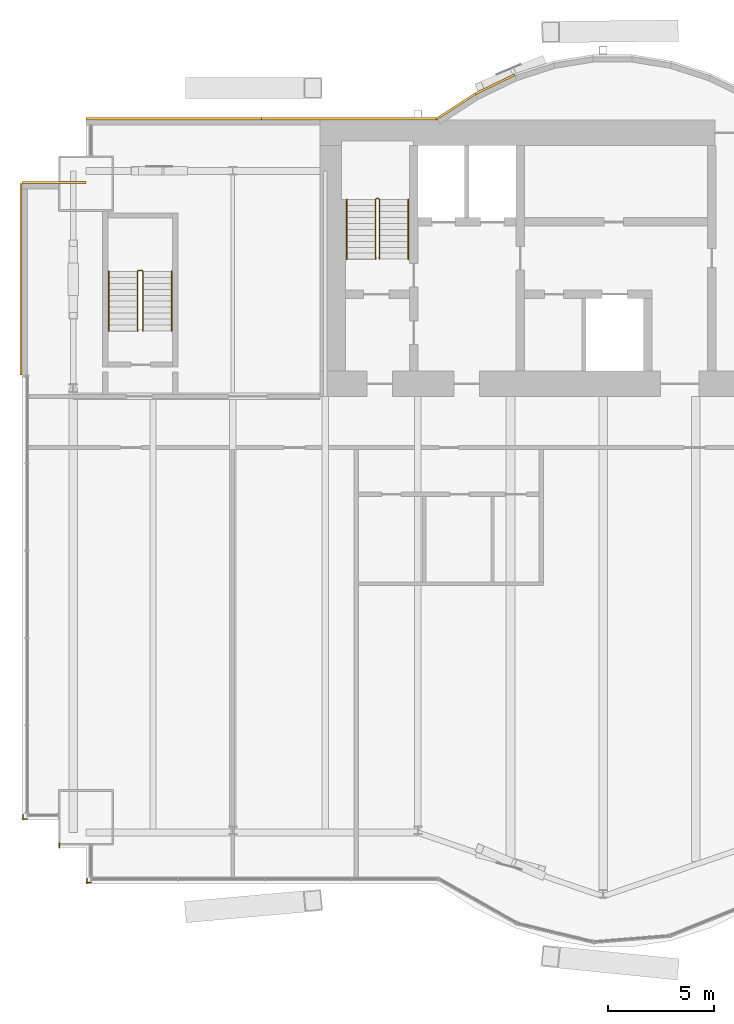
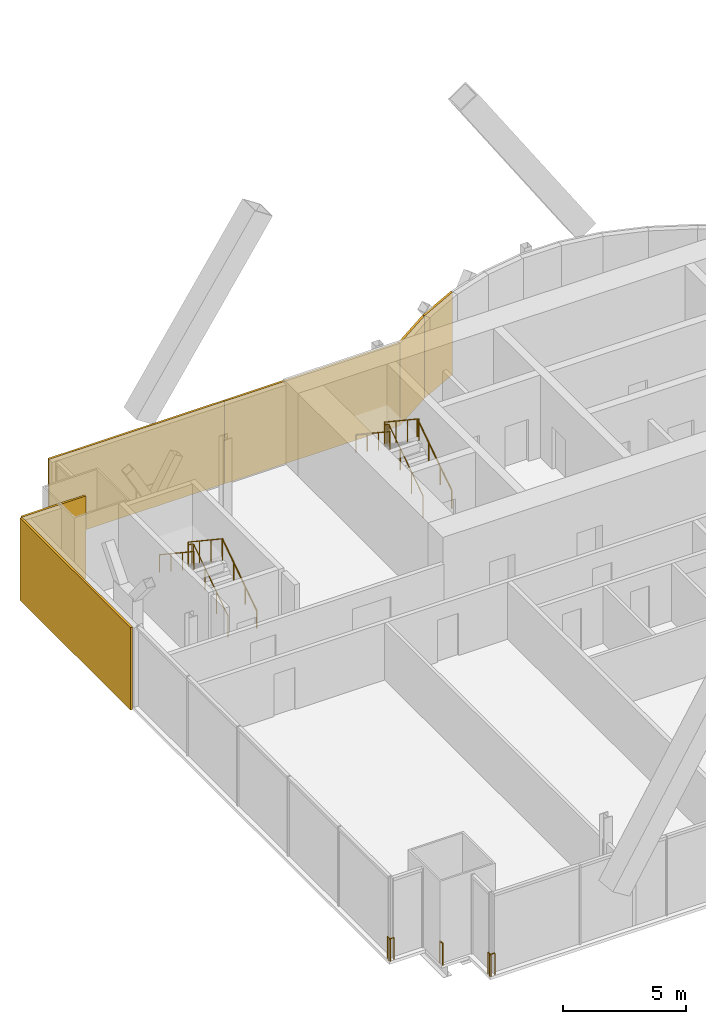
# One storey, part 20 of 22: 9 railings, 6 coverings.
"""IFC4 building model written with IfcOpenShell, lengths in metres."""

from ifc_helpers import new_model, si_unit, direction, frame, origin, origin_2d, place, context, subcontext, project, spatial, rectangle, circle, extrude, material, layer, layer_set, type_object, element, save


model = new_model("IFC4")

# Units and contexts
model_context = context("Model", 3, precision=1e-05, world=origin(), true_north=direction((0.0, 1.0)))
body_context = subcontext(model_context, "Body", "Model", "MODEL_VIEW")
ifc_project = project(units=[si_unit("LENGTHUNIT", "METRE"), si_unit("AREAUNIT", "SQUARE_METRE"), si_unit("VOLUMEUNIT", "CUBIC_METRE"), si_unit("PLANEANGLEUNIT", "RADIAN"), si_unit("MASSUNIT", "GRAM", prefix="KILO")], contexts=[model_context])

# Site, building, storey
site_placement = place(None, origin())
site = spatial("IfcSite", under=ifc_project, at=site_placement, CompositionType="ELEMENT")
building_placement = place(site_placement, origin())
building = spatial("IfcBuilding", under=site, at=building_placement, Name="Bicima Exchange Tower", CompositionType="ELEMENT")
storey_placement = place(building_placement, frame((0.0, 0.0, 144.5)))
storey = spatial("IfcBuildingStorey", under=building, at=storey_placement, Name="L31", CompositionType="ELEMENT", Elevation=144.5)

# Coverings
ifc_material_1 = material(Name="Bronze metal cladding")
ifc_layer_1 = layer(ifc_material_1, 0.004)
ifc_material_2 = material(Name="Ventilated cavity")
ifc_layer_2 = layer(ifc_material_2, 0.06)
ifc_material_3 = material(Name="Galvanised steel rail and mineral wool", Category="steel")
ifc_layer_3 = layer(ifc_material_3, 0.036)
ifc_layer_set = layer_set([ifc_layer_1, ifc_layer_2, ifc_layer_3], Name="Ventilated cavity")
covering_type = type_object("IfcCoveringType", Name="Bronze metal cladding panel 100", PredefinedType="CLADDING", material=ifc_layer_set)
covering_1_placement = place(storey_placement, frame((-13.771728515625, 1.674560546875, -0.150146484375), z_axis=(0.0, 0.0, 1.0), x_axis=(-0.899818346812, -0.436264762204, 0.0)))
element("IfcCovering", 1, at=covering_1_placement, inside=storey, type_object=covering_type, Name="Bronze cladding L31 18.1", PredefinedType="CLADDING", context=body_context, shape_type="SweptSolid", body=[
    extrude(rectangle(XDim=2.03759765625, YDim=0.10009765625, at=origin_2d()), origin(), (0.0, 0.0, 1.0), 4.10009765625),
])
covering_2_placement = place(storey_placement, frame((-15.610595703125, 0.634521484375, -0.150146484375), z_axis=(0.0, 0.0, 1.0), x_axis=(-0.839790466384, -0.542910648791, 0.0)))
element("IfcCovering", 2, at=covering_2_placement, inside=storey, type_object=covering_type, Name="Bronze cladding L31 19.1", PredefinedType="CLADDING", context=body_context, shape_type="SweptSolid", body=[
    extrude(rectangle(XDim=2.18310546875, YDim=0.10009765625, at=origin_2d()), origin(), (0.0, 0.0, 1.0), 4.10009765625),
])
for number, where, z_axis, x_axis, name in (
    (3, (-20.625, 0.050048828125, -0.150146484375), (0.0, 0.0, 1.0), (-1.0, 0.0, 0.0), "Bronze cladding L31 20.1"),
    (4, (-28.875, 0.050048828125, -0.150146484375), (0.0, 0.0, 1.0), (-1.0, 0.0, 0.0), "Bronze cladding L31 20.2"),
):
    element("IfcCovering", number, at=place(storey_placement, frame(where, z_axis=z_axis, x_axis=x_axis)), inside=storey, type_object=covering_type, Name=name, PredefinedType="CLADDING", context=body_context, shape_type="SweptSolid", body=[
        extrude(rectangle(XDim=8.25, YDim=0.10009765625, at=origin_2d()), origin(), (0.0, 0.0, 1.0), 4.10009765625),
    ])
covering_3_placement = place(storey_placement, frame((-34.5, -2.949951171875, -0.150146484375), z_axis=(0.0, 0.0, 1.0), x_axis=(-1.0, 0.0, 0.0)))
element("IfcCovering", 5, at=covering_3_placement, inside=storey, type_object=covering_type, Name="Bronze cladding L31 22.1", PredefinedType="CLADDING", context=body_context, shape_type="SweptSolid", body=[
    extrude(rectangle(XDim=3.0, YDim=0.10009765625, at=origin_2d()), origin(), (0.0, 0.0, 1.0), 4.10009765625),
])
covering_4_placement = place(storey_placement, frame((-36.050048828125, -7.5, -0.150146484375), z_axis=(0.0, 0.0, 1.0), x_axis=(0.0, -1.0, 0.0)))
element("IfcCovering", 6, at=covering_4_placement, inside=storey, type_object=covering_type, Name="Bronze cladding L31 23.1", PredefinedType="CLADDING", context=body_context, shape_type="SweptSolid", body=[
    extrude(rectangle(XDim=9.0, YDim=0.10009765625, at=origin_2d()), origin(), (0.0, 0.0, 1.0), 4.10009765625),
])

# Railings
ifc_material_4 = material(Name="Stainless steel and bonded safety glass", Category="steel")
railing_type_1 = type_object("IfcRailingType", Name="Edge guard 1100", PredefinedType="GUARDRAIL", material=ifc_material_4)
railing_1_placement = place(storey_placement, frame((-35.757080078125, -32.85009765625, 0.0)))
element("IfcRailing", 7, at=railing_1_placement, inside=storey, type_object=railing_type_1, Name="Edge guard L31 149", PredefinedType="GUARDRAIL", context=body_context, shape_type="SweptSolid", body=[
    extrude(circle(Radius=0.02392578125, at=origin_2d()), frame((0.0, 0.0, 1.076171875), z_axis=(-1.0, 0.0, 0.0), x_axis=(0.0, -1.0, 0.0)), (0.0, 0.0, 1.0), 0.242919921875),
    extrude(circle(Radius=0.02392578125, at=origin_2d()), frame((-0.242919921875, 0.0, 1.076171875), z_axis=(0.708833529934, -0.705375805398, 0.0), x_axis=(0.705375805398, 0.708833529934, 0.0)), (0.0, 0.0, 1.0), 0.070556640625),
    extrude(circle(Radius=0.02392578125, at=origin_2d()), frame((-0.19287109375, -0.0498046875, 1.076171875), z_axis=(0.0, 1.0, 0.0), x_axis=(-1.0, 0.0, 0.0)), (0.0, 0.0, 1.0), 0.2490234375),
    extrude(circle(Radius=0.02099609375, at=origin_2d()), origin(), (0.0, 0.0, 1.0), 1.052001953125),
    extrude(circle(Radius=0.02099609375, at=origin_2d()), frame((-0.242919921875, 0.0, 0.0)), (0.0, 0.0, 1.0), 1.052001953125),
    extrude(circle(Radius=0.02099609375, at=origin_2d()), frame((-0.19287109375, -0.0498046875, 0.0)), (0.0, 0.0, 1.0), 1.052001953125),
    extrude(circle(Radius=0.02099609375, at=origin_2d()), frame((-0.19287109375, 0.19921875, 0.0)), (0.0, 0.0, 1.0), 1.052001953125),
])
railing_2_placement = place(storey_placement, frame((-32.75, -35.85009765625, 0.0)))
element("IfcRailing", 8, at=railing_2_placement, inside=storey, type_object=railing_type_1, Name="Edge guard L31 153", PredefinedType="GUARDRAIL", context=body_context, shape_type="SweptSolid", body=[
    extrude(circle(Radius=0.02392578125, at=origin_2d()), frame((0.0, 0.0, 1.076171875), z_axis=(-1.0, 0.0, 0.0), x_axis=(0.0, -1.0, 0.0)), (0.0, 0.0, 1.0), 0.25),
    extrude(circle(Radius=0.02392578125, at=origin_2d()), frame((-0.25, 0.0, 1.076171875), z_axis=(0.708833529934, -0.705375805398, 0.0), x_axis=(0.705375805398, 0.708833529934, 0.0)), (0.0, 0.0, 1.0), 0.070556640625),
    extrude(circle(Radius=0.02392578125, at=origin_2d()), frame((-0.199951171875, -0.0498046875, 1.076171875), z_axis=(0.0, 1.0, 0.0), x_axis=(-1.0, 0.0, 0.0)), (0.0, 0.0, 1.0), 0.242919921875),
    extrude(circle(Radius=0.02099609375, at=origin_2d()), origin(), (0.0, 0.0, 1.0), 1.052001953125),
    extrude(circle(Radius=0.02099609375, at=origin_2d()), frame((-0.25, 0.0, 0.0)), (0.0, 0.0, 1.0), 1.052001953125),
    extrude(circle(Radius=0.02099609375, at=origin_2d()), frame((-0.199951171875, -0.0498046875, 0.0)), (0.0, 0.0, 1.0), 1.052001953125),
    extrude(circle(Radius=0.02099609375, at=origin_2d()), frame((-0.199951171875, 0.193115234375, 0.0)), (0.0, 0.0, 1.0), 1.052001953125),
])
railing_3_placement = place(storey_placement, frame((-34.25, -34.199951171875, 0.0)))
element("IfcRailing", 9, at=railing_3_placement, inside=storey, type_object=railing_type_1, Name="Edge guard L31 154", PredefinedType="GUARDRAIL", context=body_context, shape_type="SweptSolid", body=[
    extrude(circle(Radius=0.02392578125, at=origin_2d()), frame((0.0, 0.0, 1.076171875), z_axis=(0.0, 1.0, 0.0), x_axis=(-1.0, 0.0, 0.0)), (0.0, 0.0, 1.0), 0.217041015625),
    extrude(circle(Radius=0.02099609375, at=origin_2d()), origin(), (0.0, 0.0, 1.0), 1.052001953125),
    extrude(circle(Radius=0.02099609375, at=origin_2d()), frame((0.0, 0.217041015625, 0.0)), (0.0, 0.0, 1.0), 1.052001953125),
])
ifc_material_5 = material(Name="Stainless steel", Category="steel")
railing_type_2 = type_object("IfcRailingType", Name="Stair guard 1100", PredefinedType="GUARDRAIL", material=ifc_material_5)
railing_4_placement = place(storey_placement, frame((-19.199951171875, -6.550048828125, 0.186279296875)))
element("IfcRailing", 10, at=railing_4_placement, inside=storey, type_object=railing_type_2, Name="L31 ST-W stair guard 1", PredefinedType="GUARDRAIL", context=body_context, shape_type="SweptSolid", body=[
    extrude(circle(Radius=0.02392578125, at=origin_2d()), frame((0.0, 0.0, 1.076171875), z_axis=(0.0, 0.832452072856, 0.554097055034), x_axis=(-1.0, 0.0, 0.0)), (0.0, 0.0, 1.0), 3.363525390625),
    extrude(circle(Radius=0.02392578125, at=origin_2d()), frame((0.0, 2.800048828125, 2.93994140625), z_axis=(-0.707106781187, 0.707106781187, 0.0), x_axis=(-0.707106781187, -0.707106781187, 0.0)), (0.0, 0.0, 1.0), 0.07080078125),
    extrude(circle(Radius=0.02392578125, at=origin_2d()), frame((-0.050048828125, 2.85009765625, 2.93994140625), z_axis=(-1.0, 0.0, 0.0), x_axis=(0.0, -1.0, 0.0)), (0.0, 0.0, 1.0), 0.10009765625),
    extrude(circle(Radius=0.02392578125, at=origin_2d()), frame((-0.150146484375, 2.85009765625, 2.93994140625), z_axis=(-0.250008635948, -0.251234168477, 0.935081319748), x_axis=(0.708833529934, -0.705375805398, 0.0)), (0.0, 0.0, 1.0), 0.19921875),
    extrude(circle(Radius=0.02392578125, at=origin_2d()), frame((-0.199951171875, 2.800048828125, 3.1259765625), z_axis=(0.0, -0.832452072856, 0.554097055034), x_axis=(1.0, 0.0, 0.0)), (0.0, 0.0, 1.0), 3.363525390625),
    extrude(circle(Radius=0.02099609375, at=origin_2d()), origin(), (0.0, 0.0, 1.0), 1.052001953125),
    extrude(circle(Radius=0.02099609375, at=origin_2d()), frame((0.0, 0.933349609375, 0.621337890625)), (0.0, 0.0, 1.0), 1.052001953125),
    extrude(circle(Radius=0.02099609375, at=origin_2d()), frame((0.0, 1.86669921875, 1.242431640625)), (0.0, 0.0, 1.0), 1.052001953125),
    extrude(circle(Radius=0.02099609375, at=origin_2d()), frame((0.0, 2.800048828125, 1.86376953125)), (0.0, 0.0, 1.0), 1.052001953125),
    extrude(circle(Radius=0.02099609375, at=origin_2d()), frame((-0.050048828125, 2.85009765625, 1.86376953125)), (0.0, 0.0, 1.0), 1.052001953125),
    extrude(circle(Radius=0.02099609375, at=origin_2d()), frame((-0.150146484375, 2.85009765625, 1.86376953125)), (0.0, 0.0, 1.0), 1.052001953125),
    extrude(circle(Radius=0.02099609375, at=origin_2d()), frame((-0.199951171875, 2.800048828125, 2.050048828125)), (0.0, 0.0, 1.0), 1.052001953125),
    extrude(circle(Radius=0.02099609375, at=origin_2d()), frame((-0.199951171875, 1.86669921875, 2.67138671875)), (0.0, 0.0, 1.0), 1.052001953125),
    extrude(circle(Radius=0.02099609375, at=origin_2d()), frame((-0.199951171875, 0.933349609375, 3.29248046875)), (0.0, 0.0, 1.0), 1.052001953125),
    extrude(circle(Radius=0.02099609375, at=origin_2d()), frame((-0.199951171875, 0.0, 3.913818359375)), (0.0, 0.0, 1.0), 1.052001953125),
])
railing_5_placement = place(storey_placement, frame((-30.324951171875, -9.925048828125, 0.186279296875)))
element("IfcRailing", 11, at=railing_5_placement, inside=storey, type_object=railing_type_2, Name="L31 ST-WW stair guard 1", PredefinedType="GUARDRAIL", context=body_context, shape_type="SweptSolid", body=[
    extrude(circle(Radius=0.02392578125, at=origin_2d()), frame((0.0, 0.0, 1.076171875), z_axis=(0.0, 0.832452072856, 0.554097055034), x_axis=(-1.0, 0.0, 0.0)), (0.0, 0.0, 1.0), 3.363525390625),
    extrude(circle(Radius=0.02392578125, at=origin_2d()), frame((0.0, 2.800048828125, 2.93994140625), z_axis=(-0.707106781187, 0.707106781187, 0.0), x_axis=(-0.707106781187, -0.707106781187, 0.0)), (0.0, 0.0, 1.0), 0.07080078125),
    extrude(circle(Radius=0.02392578125, at=origin_2d()), frame((-0.050048828125, 2.85009765625, 2.93994140625), z_axis=(-1.0, 0.0, 0.0), x_axis=(0.0, -1.0, 0.0)), (0.0, 0.0, 1.0), 0.14990234375),
    extrude(circle(Radius=0.02392578125, at=origin_2d()), frame((-0.199951171875, 2.85009765625, 2.93994140625), z_axis=(-0.251157038772, -0.251157038772, 0.934794246747), x_axis=(0.707106781187, -0.707106781187, 0.0)), (0.0, 0.0, 1.0), 0.19921875),
    extrude(circle(Radius=0.02392578125, at=origin_2d()), frame((-0.25, 2.800048828125, 3.1259765625), z_axis=(0.0, -0.832452072856, 0.554097055034), x_axis=(1.0, 0.0, 0.0)), (0.0, 0.0, 1.0), 3.363525390625),
    extrude(circle(Radius=0.02099609375, at=origin_2d()), origin(), (0.0, 0.0, 1.0), 1.052001953125),
    extrude(circle(Radius=0.02099609375, at=origin_2d()), frame((0.0, 0.933349609375, 0.621337890625)), (0.0, 0.0, 1.0), 1.052001953125),
    extrude(circle(Radius=0.02099609375, at=origin_2d()), frame((0.0, 1.86669921875, 1.242431640625)), (0.0, 0.0, 1.0), 1.052001953125),
    extrude(circle(Radius=0.02099609375, at=origin_2d()), frame((0.0, 2.800048828125, 1.86376953125)), (0.0, 0.0, 1.0), 1.052001953125),
    extrude(circle(Radius=0.02099609375, at=origin_2d()), frame((-0.050048828125, 2.85009765625, 1.86376953125)), (0.0, 0.0, 1.0), 1.052001953125),
    extrude(circle(Radius=0.02099609375, at=origin_2d()), frame((-0.199951171875, 2.85009765625, 1.86376953125)), (0.0, 0.0, 1.0), 1.052001953125),
    extrude(circle(Radius=0.02099609375, at=origin_2d()), frame((-0.25, 2.800048828125, 2.050048828125)), (0.0, 0.0, 1.0), 1.052001953125),
    extrude(circle(Radius=0.02099609375, at=origin_2d()), frame((-0.25, 1.86669921875, 2.67138671875)), (0.0, 0.0, 1.0), 1.052001953125),
    extrude(circle(Radius=0.02099609375, at=origin_2d()), frame((-0.25, 0.933349609375, 3.29248046875)), (0.0, 0.0, 1.0), 1.052001953125),
    extrude(circle(Radius=0.02099609375, at=origin_2d()), frame((-0.25, 0.0, 3.913818359375)), (0.0, 0.0, 1.0), 1.052001953125),
])
railing_type_3 = type_object("IfcRailingType", Name="Stair handrail 900", PredefinedType="HANDRAIL", material=ifc_material_5)
railing_6_placement = place(storey_placement, frame((-17.85009765625, -6.550048828125, 0.186279296875)))
element("IfcRailing", 12, at=railing_6_placement, inside=storey, type_object=railing_type_3, Name="L31 ST-W stair handrail 1", PredefinedType="HANDRAIL", context=body_context, shape_type="SweptSolid", body=[
    extrude(circle(Radius=0.02392578125, at=origin_2d()), frame((0.0, 0.0, 0.8759765625), z_axis=(0.0, 0.832452072856, 0.554097055034), x_axis=(-1.0, 0.0, 0.0)), (0.0, 0.0, 1.0), 3.363525390625),
    extrude(circle(Radius=0.02099609375, at=origin_2d()), origin(), (0.0, 0.0, 1.0), 0.851806640625),
    extrude(circle(Radius=0.02099609375, at=origin_2d()), frame((0.0, 0.933349609375, 0.621337890625)), (0.0, 0.0, 1.0), 0.851806640625),
    extrude(circle(Radius=0.02099609375, at=origin_2d()), frame((0.0, 1.86669921875, 1.242431640625)), (0.0, 0.0, 1.0), 0.851806640625),
    extrude(circle(Radius=0.02099609375, at=origin_2d()), frame((0.0, 2.800048828125, 1.86376953125)), (0.0, 0.0, 1.0), 0.851806640625),
])
railing_7_placement = place(storey_placement, frame((-20.75, -3.75, 2.27685546875)))
element("IfcRailing", 13, at=railing_7_placement, inside=storey, type_object=railing_type_3, Name="L31 ST-W stair handrail 2", PredefinedType="HANDRAIL", context=body_context, shape_type="SweptSolid", body=[
    extrude(circle(Radius=0.02392578125, at=origin_2d()), frame((0.0, 0.0, 0.8759765625), z_axis=(0.0, -0.832485552168, 0.554046753832), x_axis=(1.0, 0.0, 0.0)), (0.0, 0.0, 1.0), 3.363525390625),
    extrude(circle(Radius=0.02099609375, at=origin_2d()), origin(), (0.0, 0.0, 1.0), 0.851806640625),
    extrude(circle(Radius=0.02099609375, at=origin_2d()), frame((0.0, -0.933349609375, 0.62109375)), (0.0, 0.0, 1.0), 0.851806640625),
    extrude(circle(Radius=0.02099609375, at=origin_2d()), frame((0.0, -1.86669921875, 1.242431640625)), (0.0, 0.0, 1.0), 0.851806640625),
    extrude(circle(Radius=0.02099609375, at=origin_2d()), frame((0.0, -2.800048828125, 1.863525390625)), (0.0, 0.0, 1.0), 0.851806640625),
])
railing_8_placement = place(storey_placement, frame((-28.97509765625, -9.925048828125, 0.186279296875)))
element("IfcRailing", 14, at=railing_8_placement, inside=storey, type_object=railing_type_3, Name="L31 ST-WW stair handrail 1", PredefinedType="HANDRAIL", context=body_context, shape_type="SweptSolid", body=[
    extrude(circle(Radius=0.02392578125, at=origin_2d()), frame((0.0, 0.0, 0.8759765625), z_axis=(0.0, 0.832452072856, 0.554097055034), x_axis=(-1.0, 0.0, 0.0)), (0.0, 0.0, 1.0), 3.363525390625),
    extrude(circle(Radius=0.02099609375, at=origin_2d()), origin(), (0.0, 0.0, 1.0), 0.851806640625),
    extrude(circle(Radius=0.02099609375, at=origin_2d()), frame((0.0, 0.933349609375, 0.621337890625)), (0.0, 0.0, 1.0), 0.851806640625),
    extrude(circle(Radius=0.02099609375, at=origin_2d()), frame((0.0, 1.86669921875, 1.242431640625)), (0.0, 0.0, 1.0), 0.851806640625),
    extrude(circle(Radius=0.02099609375, at=origin_2d()), frame((0.0, 2.800048828125, 1.86376953125)), (0.0, 0.0, 1.0), 0.851806640625),
])
railing_9_placement = place(storey_placement, frame((-31.925048828125, -7.125, 2.27685546875)))
element("IfcRailing", 15, at=railing_9_placement, inside=storey, type_object=railing_type_3, Name="L31 ST-WW stair handrail 2", PredefinedType="HANDRAIL", context=body_context, shape_type="SweptSolid", body=[
    extrude(circle(Radius=0.02392578125, at=origin_2d()), frame((0.0, 0.0, 0.8759765625), z_axis=(0.0, -0.832485552168, 0.554046753832), x_axis=(1.0, 0.0, 0.0)), (0.0, 0.0, 1.0), 3.363525390625),
    extrude(circle(Radius=0.02099609375, at=origin_2d()), origin(), (0.0, 0.0, 1.0), 0.851806640625),
    extrude(circle(Radius=0.02099609375, at=origin_2d()), frame((0.0, -0.933349609375, 0.62109375)), (0.0, 0.0, 1.0), 0.851806640625),
    extrude(circle(Radius=0.02099609375, at=origin_2d()), frame((0.0, -1.86669921875, 1.242431640625)), (0.0, 0.0, 1.0), 0.851806640625),
    extrude(circle(Radius=0.02099609375, at=origin_2d()), frame((0.0, -2.800048828125, 1.863525390625)), (0.0, 0.0, 1.0), 0.851806640625),
])

save(model, "model.ifc")
